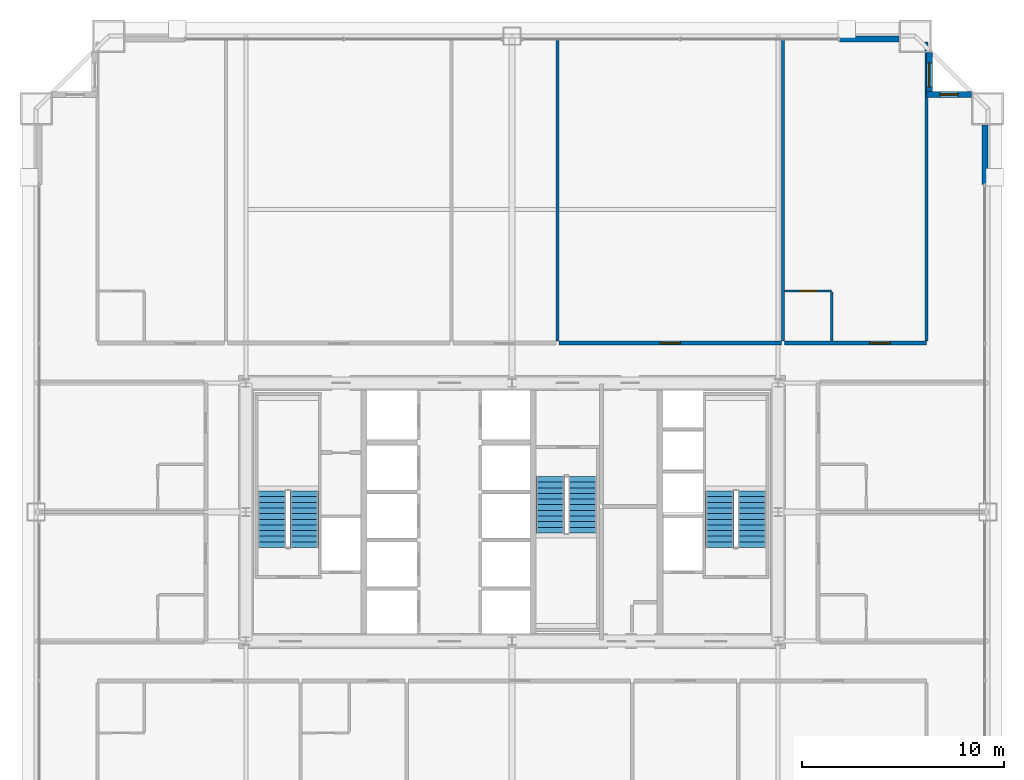
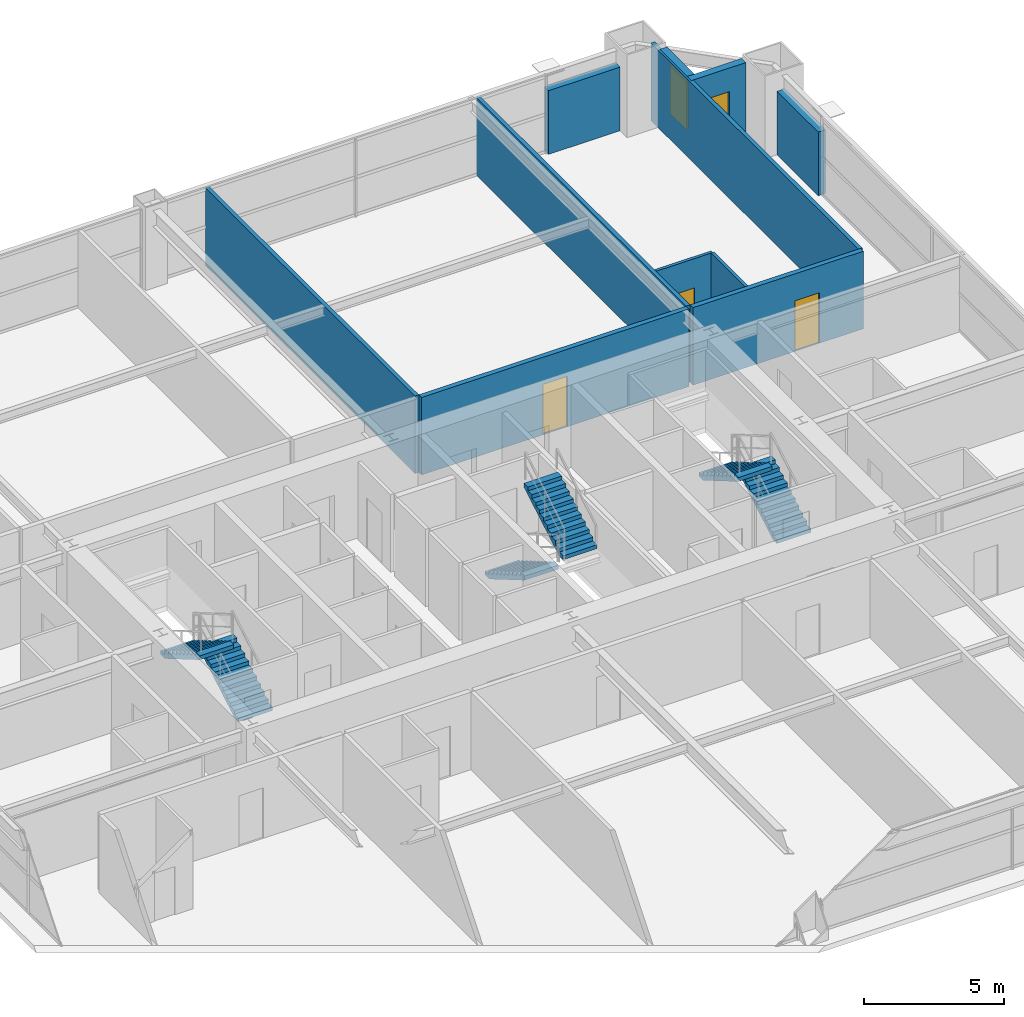
# One storey, part 38 of 39: 11 walls, 6 stair flights, 3 doors, 2 windows, 5 openings, 3 elements without a shape of their own.
"""IFC4 building model written with IfcOpenShell, lengths in metres."""

import ifcopenshell
import ifcopenshell.guid

model = None  # the IFC model being written
_history = None  # IfcOwnerHistory: only IFC2X3 demands one
_inside = {}  # id of a spatial element -> (the spatial element, [elements in it])
_under = {}  # id of a project, library or spatial element -> (it, [spatial elements below it])
_declared = {}  # id of a project -> (the project, [libraries it declares])
_typed = {}  # id of a type object -> (the type object, [elements of that type])
_made_of = {}  # id of a material, layer set ... -> (it, [elements and type objects made of it])


def new_model(schema):
    """Start an empty IFC model of exactly this schema.

    Asked for "IFC4X3", IfcOpenShell would pick the latest addendum, in which some entities
    have other attributes; the version numbers below select the first issue.
    IFC2X3 requires an IfcOwnerHistory on every rooted entity: one is made here for all.
    """
    global model, _history
    if schema == "IFC4X3":
        model = ifcopenshell.file(schema_version=(4, 3, 0, 0))
    else:
        model = ifcopenshell.file(schema=schema)
    _inside.clear()
    _under.clear()
    _declared.clear()
    _typed.clear()
    _made_of.clear()
    _history = None
    if model.schema == "IFC2X3":
        org = make("IfcOrganization", Name="unknown")
        user = make(
            "IfcPersonAndOrganization",
            ThePerson=make("IfcPerson", FamilyName="unknown"),
            TheOrganization=org,
        )
        app = make(
            "IfcApplication",
            ApplicationDeveloper=org,
            Version="unknown",
            ApplicationFullName="unknown",
            ApplicationIdentifier="unknown",
        )
        _history = make(
            "IfcOwnerHistory",
            OwningUser=user,
            OwningApplication=app,
            ChangeAction="ADDED",
            CreationDate=0,
        )
    return model


def make(cls, **values):
    """One entity of the class cls with the attributes given. An attribute that is None is left unset."""
    return model.create_entity(
        cls, **{name: value for name, value in values.items() if value is not None}
    )


def rooted(cls, **values):
    """An entity with a GlobalId (a new one), such as an element, a storey or a relation."""
    return make(cls, GlobalId=ifcopenshell.guid.new(), OwnerHistory=_history, **values)


def si_unit(unit_type, name, prefix=None):
    """IfcSIUnit, for example si_unit("LENGTHUNIT", "METRE", prefix="MILLI")."""
    return make("IfcSIUnit", UnitType=unit_type, Prefix=prefix, Name=name)


def assignment(units):
    """IfcUnitAssignment: the units of a project."""
    return None if units is None else make("IfcUnitAssignment", Units=units)


def point(xyz):
    """IfcCartesianPoint."""
    return None if xyz is None else make("IfcCartesianPoint", Coordinates=xyz)


def direction(xyz):
    """IfcDirection."""
    return None if xyz is None else make("IfcDirection", DirectionRatios=xyz)


def frame(location, z_axis=None, x_axis=None):
    """IfcAxis2Placement3D, a coordinate frame: its origin and axes. An axis left out is left unset."""
    return make(
        "IfcAxis2Placement3D",
        Location=point(location),
        Axis=direction(z_axis),
        RefDirection=direction(x_axis),
    )


def frame_2d(location, x_axis=None):
    """IfcAxis2Placement2D, a coordinate frame in the plane: its origin and x axis."""
    return make(
        "IfcAxis2Placement2D", Location=point(location), RefDirection=direction(x_axis)
    )


def origin():
    """The frame at (0, 0, 0) with its axes left unset."""
    return frame((0.0, 0.0, 0.0))


def place(relative_to, where):
    """IfcLocalPlacement: puts the frame where relative to a parent placement (None: the world)."""
    return make(
        "IfcLocalPlacement", PlacementRelTo=relative_to, RelativePlacement=where
    )


def context(
    kind, dimensions, precision=None, world=None, true_north=None, identifier=None
):
    """IfcGeometricRepresentationContext, for example the 3D "Model" context."""
    return make(
        "IfcGeometricRepresentationContext",
        ContextIdentifier=identifier,
        ContextType=kind,
        CoordinateSpaceDimension=dimensions,
        Precision=precision,
        WorldCoordinateSystem=world,
        TrueNorth=true_north,
    )


def subcontext(parent, identifier, kind, view, scale=None):
    """IfcGeometricRepresentationSubContext, for example "Body" below "Model"."""
    return make(
        "IfcGeometricRepresentationSubContext",
        ContextIdentifier=identifier,
        ContextType=kind,
        ParentContext=parent,
        TargetScale=scale,
        TargetView=view,
    )


def project(units=None, contexts=None):
    """IfcProject with its units and contexts."""
    return rooted(
        "IfcProject",
        Name="project",
        RepresentationContexts=contexts,
        UnitsInContext=assignment(units),
    )


def spatial(cls, under=None, at=None, **own):
    """A site, building, storey or space (cls), placed at a placement, below another one or the project."""
    s = rooted(cls, ObjectPlacement=at, **own)
    if under is not None:
        _under.setdefault(under.id(), (under, []))[1].append(s)
    return s


def polyline(points):
    """IfcPolyline through the points."""
    return make("IfcPolyline", Points=[point(p) for p in points])


def profile(cls, at=None, kind="AREA", **sizes):
    """A parametric profile (cls). Its sizes go by their IFC names, for example OverallWidth=200.0."""
    return make(cls, ProfileType=kind, Position=at, **sizes)


def rectangle(**sizes):
    """IfcRectangleProfileDef."""
    return profile("IfcRectangleProfileDef", **sizes)


def outline(outer, holes=None, kind="AREA"):
    """IfcArbitraryClosedProfileDef: a profile drawn as a closed curve; with holes, ...WithVoids."""
    if holes is None:
        return make("IfcArbitraryClosedProfileDef", ProfileType=kind, OuterCurve=outer)
    return make(
        "IfcArbitraryProfileDefWithVoids",
        ProfileType=kind,
        OuterCurve=outer,
        InnerCurves=holes,
    )


def extrude(swept, where, along, depth):
    """IfcExtrudedAreaSolid: the profile swept, set in the frame where, extruded along a direction by depth."""
    return make(
        "IfcExtrudedAreaSolid",
        SweptArea=swept,
        Position=where,
        ExtrudedDirection=direction(along),
        Depth=depth,
    )


def shape(context_of_items, identifier, shape_type, items):
    """IfcShapeRepresentation: the items that make up one representation, for example the "Body"."""
    return make(
        "IfcShapeRepresentation",
        ContextOfItems=context_of_items,
        RepresentationIdentifier=identifier,
        RepresentationType=shape_type,
        Items=items,
    )


def source(mapping_origin, context_of_items, identifier, shape_type, items):
    """IfcRepresentationMap: a shape defined once, which mapped items show again and again."""
    return make(
        "IfcRepresentationMap",
        MappingOrigin=mapping_origin,
        MappedRepresentation=shape(context_of_items, identifier, shape_type, items),
    )


def transform(
    local_origin,
    x_axis=None,
    y_axis=None,
    z_axis=None,
    scale=None,
    scale2=None,
    scale3=None,
    uniform=True,
):
    """IfcCartesianTransformationOperator3D, or its non-uniform kind. x_axis, y_axis, z_axis: its Axis1, 2, 3."""
    if uniform:
        return make(
            "IfcCartesianTransformationOperator3D",
            Axis1=direction(x_axis),
            Axis2=direction(y_axis),
            LocalOrigin=point(local_origin),
            Scale=scale,
            Axis3=direction(z_axis),
        )
    return make(
        "IfcCartesianTransformationOperator3DnonUniform",
        Axis1=direction(x_axis),
        Axis2=direction(y_axis),
        LocalOrigin=point(local_origin),
        Scale=scale,
        Axis3=direction(z_axis),
        Scale2=scale2,
        Scale3=scale3,
    )


def mapped(mapping_source, mapping_target):
    """IfcMappedItem: shows the shape of a source again, moved by a transform."""
    return make(
        "IfcMappedItem", MappingSource=mapping_source, MappingTarget=mapping_target
    )


def material(Name=None, Category=None):
    """IfcMaterial."""
    return make("IfcMaterial", Name=Name, Category=Category)


def layer(
    of_material, thickness, ventilated=None, Name=None, Category=None, Priority=None
):
    """IfcMaterialLayer: one layer of a wall or slab, of a material (None: an air gap)."""
    return make(
        "IfcMaterialLayer",
        Material=of_material,
        LayerThickness=thickness,
        IsVentilated=ventilated,
        Name=Name,
        Category=Category,
        Priority=Priority,
    )


def layer_set(layers, Name=None):
    """IfcMaterialLayerSet."""
    return make("IfcMaterialLayerSet", MaterialLayers=layers, LayerSetName=Name)


def made_of(thing, what):
    """Note that an element or type object is made of a material, layer set ...; save() writes the relation."""
    if what is not None:
        _made_of.setdefault(what.id(), (what, []))[1].append(thing)
    return thing


def type_object(cls, material=None, **own):
    """A type object (cls), such as IfcWallType, which elements share."""
    return made_of(rooted(cls, **own), material)


def element(
    cls,
    number,
    at=None,
    inside=None,
    cuts=None,
    type_object=None,
    material=None,
    context=None,
    identifier="Body",
    shape_type=None,
    held_by="IfcProductDefinitionShape",
    body=None,
    shapes=None,
    **own,
):
    """One element of the class cls, such as IfcWall. Its Tag is "e" and its number.

    at: its placement. inside: the storey or other place that contains it. cuts: it is an
    opening in that element (IfcRelVoidsElement). A single representation is given by context,
    identifier, shape_type and body (its items); several are given by shapes. held_by: the class
    of the entity that holds the representations. save() writes the other relations.
    """
    e = rooted(cls, Tag="e%d" % number, ObjectPlacement=at, **own)
    if body is not None:
        shapes = [shape(context, identifier, shape_type, body)]
    if shapes is not None:
        e.Representation = make(held_by, Representations=shapes)
    if inside is not None:
        _inside.setdefault(inside.id(), (inside, []))[1].append(e)
    if cuts is not None:
        rooted(
            "IfcRelVoidsElement", RelatingBuildingElement=cuts, RelatedOpeningElement=e
        )
    if type_object is not None:
        _typed.setdefault(type_object.id(), (type_object, []))[1].append(e)
    return made_of(e, material)


def fill(opening, filler):
    """IfcRelFillsElement: the door or window that sits in an opening."""
    return rooted(
        "IfcRelFillsElement",
        RelatingOpeningElement=opening,
        RelatedBuildingElement=filler,
    )


def aggregate(whole, parts):
    """IfcRelAggregates: a whole, such as a stair, and the parts it consists of."""
    return rooted("IfcRelAggregates", RelatingObject=whole, RelatedObjects=parts)


def save(model, path):
    """Write the relations noted so far, then the file.

    IfcRelAggregates (storeys below a building ...), IfcRelContainedInSpatialStructure (elements
    in a storey), IfcRelDefinesByType, IfcRelAssociatesMaterial and IfcRelDeclares: one each for
    every whole, place, type object, material and project.
    """
    for whole, parts in _under.values():
        aggregate(whole, parts)
    for where, things in _inside.values():
        rooted(
            "IfcRelContainedInSpatialStructure",
            RelatedElements=things,
            RelatingStructure=where,
        )
    for kind, things in _typed.values():
        rooted("IfcRelDefinesByType", RelatedObjects=things, RelatingType=kind)
    for what, things in _made_of.values():
        rooted("IfcRelAssociatesMaterial", RelatedObjects=things, RelatingMaterial=what)
    for by, libraries in _declared.values():
        rooted("IfcRelDeclares", RelatingContext=by, RelatedDefinitions=libraries)
    model.write(path)


model = new_model("IFC4")

# Units and contexts
model_context = context("Model", 3, precision=1e-05, world=origin(), true_north=direction((0.0, 1.0)))
body_context = subcontext(model_context, "Body", "Model", "MODEL_VIEW")
ifc_project = project(units=[si_unit("LENGTHUNIT", "METRE"), si_unit("AREAUNIT", "SQUARE_METRE"), si_unit("VOLUMEUNIT", "CUBIC_METRE"), si_unit("PLANEANGLEUNIT", "RADIAN"), si_unit("MASSUNIT", "GRAM", prefix="KILO"), si_unit("THERMODYNAMICTEMPERATUREUNIT", "KELVIN"), si_unit("POWERUNIT", "WATT")], contexts=[model_context])

# Site, building, storey
site_placement = place(None, origin())
site = spatial("IfcSite", under=ifc_project, at=site_placement, CompositionType="ELEMENT")
building_placement = place(site_placement, origin())
building = spatial("IfcBuilding", under=site, at=building_placement, Name="Yuzanri Waterfront Tower", CompositionType="ELEMENT")
storey_placement = place(building_placement, frame((0.0, 0.0, 141.60009765625)))
storey = spatial("IfcBuildingStorey", under=building, at=storey_placement, Name="L37", CompositionType="ELEMENT", Elevation=141.60009765625)

# Wall, opening, door
ifc_material_1 = material(Name="Moisture-Resistant Gypsum Stud Wall", Category="gypsum")
ifc_layer_1 = layer(ifc_material_1, 0.1201171875)
ifc_layer_set_1 = layer_set([ifc_layer_1], Name="Moisture-Resistant Gypsum Stud Wall")
wall_type_1 = type_object("IfcWallType", Name="Bathroom and Kitchen Wet Partition 120", PredefinedType="PARTITIONING", material=ifc_layer_set_1)
wall_1_placement = place(storey_placement, frame((50.52587890625, 36.760009765625, 0.0), z_axis=(0.0, 0.0, 1.0), x_axis=(1.0, 0.0, 0.0)))
wall_1 = element("IfcWall", 1, at=wall_1_placement, inside=storey, type_object=wall_type_1, Name="L37 Partition UW-L37-N5-BN", PredefinedType="PARTITIONING", context=body_context, shape_type="SweptSolid", body=[
    extrude(rectangle(XDim=2.330078125, YDim=0.1201171875, at=frame_2d((1.1650390625, 0.0))), origin(), (0.0, 0.0, 1.0), 3.3798828125),
])
opening_1_placement = place(wall_1_placement, frame((0.739990234375, 0.0, 0.0)))
opening_1 = element("IfcOpeningElement", 2, at=opening_1_placement, cuts=wall_1, Name="Opening ID-0850", PredefinedType="OPENING", context=body_context, shape_type="SweptSolid", body=[
    extrude(rectangle(XDim=0.85009765625, YDim=2.10009765625, at=frame_2d((0.425048828125, 1.050048828125))), frame((0.0, 0.074951171875, 0.0), z_axis=(0.0, -1.0, 0.0), x_axis=(1.0, 0.0, 0.0)), (0.0, 0.0, 1.0), 0.14990234375),
])
ifc_material_2 = material(Name="Moisture-Resistant Lacquered Timber", Category="wood")
door_type_1 = type_object("IfcDoorType", Name="En-Suite Bathroom and Kitchen Swing Door 850x2100", OperationType="NOTDEFINED", PredefinedType="DOOR", material=ifc_material_2)
shared_shape_1 = source(origin(), body_context, "Body", "SweptSolid", [
    extrude(rectangle(XDim=0.85009765625, YDim=2.10009765625, at=frame_2d((0.425048828125, 1.050048828125))), frame((0.0, 0.02490234375, 0.0), z_axis=(0.0, -1.0, 0.0), x_axis=(1.0, 0.0, 0.0)), (0.0, 0.0, 1.0), 0.050048828125),
])
door_1_placement = place(opening_1_placement, origin())
door_1 = element("IfcDoor", 3, at=door_1_placement, inside=storey, type_object=door_type_1, Name="L37 Guest En-Suite Door", OperationType="SINGLE_SWING_RIGHT", OverallHeight=2.10009765625, OverallWidth=0.85009765625, PredefinedType="DOOR", context=body_context, shape_type="MappedRepresentation", body=[
    mapped(shared_shape_1, transform((0.0, 0.0, 0.0), scale=1.0)),
])
fill(opening_1, door_1)

# Wall, opening, window
ifc_material_3 = material(Name="Honed Chongqing Dark Basalt Stone", Category="masonry")
ifc_layer_2 = layer(ifc_material_3, 0.300048828125)
ifc_layer_set_2 = layer_set([ifc_layer_2], Name="Honed Chongqing Dark Basalt Stone")
wall_type_2 = type_object("IfcWallType", Name="Bronze Rainscreen Insulated Spandrel Portal Wall 300", PredefinedType="SOLIDWALL", material=ifc_layer_set_2)
wall_2_placement = place(storey_placement, frame((59.800048828125, 46.5, 0.0), z_axis=(0.0, 0.0, 1.0), x_axis=(-1.0, 0.0, 0.0)))
wall_2 = element("IfcWall", 4, at=wall_2_placement, inside=storey, type_object=wall_type_2, Name="L37 Notched Corner Masonry Wall NE-X", PredefinedType="SOLIDWALL", context=body_context, shape_type="SweptSolid", body=[
    extrude(rectangle(XDim=2.25, YDim=0.300048828125, at=frame_2d((1.125, 0.0))), origin(), (0.0, 0.0, 1.0), 3.3798828125),
])
opening_2_placement = place(wall_2_placement, frame((0.675048828125, 0.0, 0.85009765625)))
opening_2 = element("IfcOpeningElement", 5, at=opening_2_placement, cuts=wall_2, Name="Opening WN-05", PredefinedType="OPENING", context=body_context, shape_type="SweptSolid", body=[
    extrude(rectangle(XDim=0.89990234375, YDim=1.5, at=frame_2d((0.449951171875, 0.75))), frame((0.0, 0.1650390625, 0.0), z_axis=(0.0, -1.0, 0.0), x_axis=(1.0, 0.0, 0.0)), (0.0, 0.0, 1.0), 0.329833984375),
])
ifc_material_4 = material(Name="Double-Silver Low-E Insulated Glass", Category="glass")
window_type_1 = type_object("IfcWindowType", Name="Anodized Bronze Service and Stairwell Smoke-Vent Window 900x1500", PartitioningType="SINGLE_PANEL", PredefinedType="WINDOW", material=ifc_material_4)
shared_shape_2 = source(origin(), body_context, "Body", "SweptSolid", [
    extrude(rectangle(XDim=0.89990234375, YDim=1.5, at=frame_2d((0.449951171875, 0.75))), frame((0.0, 0.030029296875, 0.0), z_axis=(0.0, -1.0, 0.0), x_axis=(1.0, 0.0, 0.0)), (0.0, 0.0, 1.0), 0.06005859375),
])
window_1_placement = place(opening_2_placement, origin())
window_1 = element("IfcWindow", 6, at=window_1_placement, inside=storey, type_object=window_type_1, Name="L37 Notched Corner Window NE-X", OverallHeight=1.5, OverallWidth=0.89990234375, PartitioningType="SINGLE_PANEL", PredefinedType="WINDOW", context=body_context, shape_type="MappedRepresentation", body=[
    mapped(shared_shape_2, transform((0.0, 0.0, 0.0), scale=1.0)),
])
fill(opening_2, window_1)

wall_3_placement = place(storey_placement, frame((57.699951171875, 46.35009765625, 0.0), z_axis=(0.0, 0.0, 1.0), x_axis=(0.0, 1.0, 0.0)))
wall_3 = element("IfcWall", 7, at=wall_3_placement, inside=storey, type_object=wall_type_2, Name="L37 Notched Corner Masonry Wall NE-Y", PredefinedType="SOLIDWALL", context=body_context, shape_type="SweptSolid", body=[
    extrude(rectangle(XDim=2.25, YDim=0.300048828125, at=frame_2d((1.125, 0.0))), origin(), (0.0, 0.0, 1.0), 3.3798828125),
])
opening_3_placement = place(wall_3_placement, frame((0.52490234375, 0.0, 0.85009765625)))
opening_3 = element("IfcOpeningElement", 8, at=opening_3_placement, cuts=wall_3, Name="Opening WN-02", PredefinedType="OPENING", context=body_context, shape_type="SweptSolid", body=[
    extrude(rectangle(XDim=1.199951171875, YDim=2.10009765625, at=frame_2d((0.60009765625, 1.050048828125))), frame((0.0, 0.1650390625, 0.0), z_axis=(0.0, -1.0, 0.0), x_axis=(1.0, 0.0, 0.0)), (0.0, 0.0, 1.0), 0.329833984375),
])
ifc_material_5 = material(Name="Double-Silver Low-E Insulated Glass", Category="glass")
window_type_2 = type_object("IfcWindowType", Name="Anodized Bronze Notched Corner Deep-Set Slot Window 1200x2100", PartitioningType="SINGLE_PANEL", PredefinedType="WINDOW", material=ifc_material_5)
shared_shape_3 = source(origin(), body_context, "Body", "SweptSolid", [
    extrude(rectangle(XDim=1.199951171875, YDim=2.10009765625, at=frame_2d((0.60009765625, 1.050048828125))), frame((0.0, 0.030029296875, 0.0), z_axis=(0.0, -1.0, 0.0), x_axis=(1.0, 0.0, 0.0)), (0.0, 0.0, 1.0), 0.06005859375),
])
window_2_placement = place(opening_3_placement, origin())
window_2 = element("IfcWindow", 9, at=window_2_placement, inside=storey, type_object=window_type_2, Name="L37 Notched Corner Window NE-Y", OverallHeight=2.10009765625, OverallWidth=1.199951171875, PartitioningType="SINGLE_PANEL", PredefinedType="WINDOW", context=body_context, shape_type="MappedRepresentation", body=[
    mapped(shared_shape_3, transform((0.0, 0.0, 0.0), scale=1.0)),
])
fill(opening_3, window_2)

# Wall, opening, door
ifc_material_6 = material(Name="Autoclaved Aerated Concrete Blockwork", Category="masonry")
ifc_layer_3 = layer(ifc_material_6, 0.199951171875)
ifc_layer_set_3 = layer_set([ifc_layer_3], Name="Autoclaved Aerated Concrete Blockwork")
wall_type_3 = type_object("IfcWallType", Name="Corridor and Unit Party Fire Wall 200", PredefinedType="PARTITIONING", material=ifc_layer_set_3)
wall_4_placement = place(storey_placement, frame((39.342041015625, 34.179931640625, 0.0), z_axis=(0.0, 0.0, 1.0), x_axis=(1.0, 0.0, 0.0)))
wall_4 = element("IfcWall", 10, at=wall_4_placement, inside=storey, type_object=wall_type_3, Name="L37 Partition UW-L37-N4-CS", PredefinedType="PARTITIONING", context=body_context, shape_type="SweptSolid", body=[
    extrude(rectangle(XDim=11.02392578125, YDim=0.199951171875, at=frame_2d((5.511962890625, 0.0))), origin(), (0.0, 0.0, 1.0), 3.3798828125),
])
opening_4_placement = place(wall_4_placement, frame((5.011962890625, 0.0, 0.0)))
opening_4 = element("IfcOpeningElement", 11, at=opening_4_placement, cuts=wall_4, Name="Opening FD-1000", PredefinedType="OPENING", context=body_context, shape_type="SweptSolid", body=[
    extrude(rectangle(XDim=1.0, YDim=2.199951171875, at=frame_2d((0.5, 1.10009765625))), frame((0.0, 0.11474609375, 0.0), z_axis=(0.0, -1.0, 0.0), x_axis=(1.0, 0.0, 0.0)), (0.0, 0.0, 1.0), 0.229736328125),
])
ifc_material_7 = material(Name="Engineered Oak Fire-Rated Timber", Category="wood")
door_type_2 = type_object("IfcDoorType", Name="Guestroom and Apartment Entrance Fire Door 1000x2200", OperationType="NOTDEFINED", PredefinedType="DOOR", material=ifc_material_7)
shared_shape_4 = source(origin(), body_context, "Body", "SweptSolid", [
    extrude(rectangle(XDim=1.0, YDim=2.199951171875, at=frame_2d((0.5, 1.10009765625))), frame((0.0, 0.02490234375, 0.0), z_axis=(0.0, -1.0, 0.0), x_axis=(1.0, 0.0, 0.0)), (0.0, 0.0, 1.0), 0.050048828125),
])
door_2_placement = place(opening_4_placement, origin())
door_2 = element("IfcDoor", 12, at=door_2_placement, inside=storey, type_object=door_type_2, Name="L37 Meeting Room 3 Entrance Door", OperationType="SINGLE_SWING_RIGHT", OverallHeight=2.199951171875, OverallWidth=1.0, PredefinedType="DOOR", context=body_context, shape_type="MappedRepresentation", body=[
    mapped(shared_shape_4, transform((0.0, 0.0, 0.0), scale=1.0)),
])
fill(opening_4, door_2)

wall_5_placement = place(storey_placement, frame((50.52587890625, 34.179931640625, 0.0), z_axis=(0.0, 0.0, 1.0), x_axis=(1.0, 0.0, 0.0)))
wall_5 = element("IfcWall", 13, at=wall_5_placement, inside=storey, type_object=wall_type_3, Name="L37 Partition UW-L37-N5-CS", PredefinedType="PARTITIONING", context=body_context, shape_type="SweptSolid", body=[
    extrude(rectangle(XDim=7.0341796875, YDim=0.199951171875, at=frame_2d((3.51708984375, 0.0))), origin(), (0.0, 0.0, 1.0), 3.3798828125),
])
opening_5_placement = place(wall_5_placement, frame((4.221923828125, 0.0, 0.0)))
opening_5 = element("IfcOpeningElement", 14, at=opening_5_placement, cuts=wall_5, Name="Opening FD-1000", PredefinedType="OPENING", context=body_context, shape_type="SweptSolid", body=[
    extrude(rectangle(XDim=1.0, YDim=2.199951171875, at=frame_2d((0.5, 1.10009765625))), frame((0.0, 0.11474609375, 0.0), z_axis=(0.0, -1.0, 0.0), x_axis=(1.0, 0.0, 0.0)), (0.0, 0.0, 1.0), 0.229736328125),
])
door_3_placement = place(opening_5_placement, origin())
door_3 = element("IfcDoor", 15, at=door_3_placement, inside=storey, type_object=door_type_2, Name="L37 Cityview Suite Entrance Door", OperationType="SINGLE_SWING_LEFT", OverallHeight=2.199951171875, OverallWidth=1.0, PredefinedType="DOOR", context=body_context, shape_type="MappedRepresentation", body=[
    mapped(shared_shape_4, transform((0.0, 0.0, 0.0), scale=1.0)),
])
fill(opening_5, door_3)

# Walls
shared_shape_5 = source(origin(), body_context, "Body", "SweptSolid", [
    extrude(rectangle(XDim=2.949951171875, YDim=0.300048828125, at=frame_2d((1.47509765625, 0.0))), origin(), (0.0, 0.0, 1.0), 2.77490234375),
])
for number, where, z_axis, x_axis, name in (
    (16, (53.25, 49.25, 0.0), (0.0, 0.0, 1.0), (1.0, 0.0, 0.0), "L37 N Right Braced Masonry Shoulder"),
    (17, (60.449951171875, 42.050048828125, 0.0), (0.0, 0.0, 1.0), (0.0, 1.0, 0.0), "L37 E Right Braced Masonry Shoulder"),
):
    element("IfcWall", number, at=place(storey_placement, frame(where, z_axis=z_axis, x_axis=x_axis)), inside=storey, type_object=wall_type_2, Name=name, PredefinedType="SOLIDWALL", context=body_context, shape_type="MappedRepresentation", body=[
        mapped(shared_shape_5, transform((0.0, 0.0, 0.0), scale=1.0)),
    ])
shared_shape_6 = source(origin(), body_context, "Body", "SweptSolid", [
    extrude(rectangle(XDim=2.419921875, YDim=0.1201171875, at=frame_2d((1.2099609375, 0.0))), origin(), (0.0, 0.0, 1.0), 3.3798828125),
])
wall_6_placement = place(storey_placement, frame((52.85595703125, 34.280029296875, 0.0), z_axis=(0.0, 0.0, 1.0), x_axis=(0.0, 1.0, 0.0)))
element("IfcWall", 18, at=wall_6_placement, inside=storey, type_object=wall_type_1, Name="L37-N5 En-Suite Side Wall", PredefinedType="PARTITIONING", context=body_context, shape_type="MappedRepresentation", body=[
    mapped(shared_shape_6, transform((0.0, 0.0, 0.0), scale=1.0)),
])
ifc_material_8 = material(Name="Gypsum Fireboard Acoustic Stud Wall", Category="gypsum")
ifc_layer_4 = layer(ifc_material_8, 0.159912109375)
ifc_layer_set_4 = layer_set([ifc_layer_4], Name="Gypsum Fireboard Acoustic Stud Wall")
wall_type_4 = type_object("IfcWallType", Name="Acoustic Suite Demising Partition 160", PredefinedType="PARTITIONING", material=ifc_layer_set_4)
shared_shape_7 = source(origin(), body_context, "Body", "SweptSolid", [
    extrude(rectangle(XDim=14.969970703125, YDim=0.159912109375, at=frame_2d((7.48486328125, 0.0))), origin(), (0.0, 0.0, 1.0), 3.3798828125),
])
for number, where, z_axis, x_axis, name in (
    (19, (39.261962890625, 34.280029296875, 0.0), (0.0, 0.0, 1.0), (0.0, 1.0, 0.0), "L37-N3 Party Wall"),
    (20, (50.446044921875, 34.280029296875, 0.0), (0.0, 0.0, 1.0), (0.0, 1.0, 0.0), "L37-N4 Party Wall"),
):
    element("IfcWall", number, at=place(storey_placement, frame(where, z_axis=z_axis, x_axis=x_axis)), inside=storey, type_object=wall_type_4, Name=name, PredefinedType="PARTITIONING", context=body_context, shape_type="MappedRepresentation", body=[
        mapped(shared_shape_7, transform((0.0, 0.0, 0.0), scale=1.0)),
    ])
shared_shape_8 = source(origin(), body_context, "Body", "SweptSolid", [
    extrude(rectangle(XDim=14.820068359375, YDim=0.159912109375, at=frame_2d((7.41015625, 0.0))), origin(), (0.0, 0.0, 1.0), 3.3798828125),
])
wall_7_placement = place(storey_placement, frame((57.550048828125, 34.280029296875, 0.0), z_axis=(0.0, 0.0, 1.0), x_axis=(0.0, 1.0, 0.0)))
element("IfcWall", 21, at=wall_7_placement, inside=storey, type_object=wall_type_4, Name="L37 North Band East End Wall", PredefinedType="PARTITIONING", context=body_context, shape_type="MappedRepresentation", body=[
    mapped(shared_shape_8, transform((0.0, 0.0, 0.0), scale=1.0)),
])

# Stair, stair flights
ifc_material_9 = material(Name="Concrete C40", Category="concrete")
stair_type = type_object("IfcStairType", Name="Concrete C40 Core Dogleg Exit Stair", PredefinedType="HALF_TURN_STAIR", material=ifc_material_9)
stair_1_placement = place(storey_placement, origin())
stair_1 = element("IfcStair", 22, at=stair_1_placement, inside=storey, type_object=stair_type, Name="L37 Smoke-Proof Core Stair ST-01", PredefinedType="HALF_TURN_STAIR")
ifc_material_10 = material(Name="Concrete C40", Category="concrete")
stair_flight_type = type_object("IfcStairFlightType", Name="Concrete C40 Precast Stair Flight 1380", PredefinedType="STRAIGHT", material=ifc_material_10)
shared_shape_9 = source(origin(), body_context, "Body", "SweptSolid", [
    extrude(outline(polyline([(0.0, 0.0), (0.0, 0.16357421875), (0.280029296875, 0.16357421875), (0.280029296875, 0.327392578125), (0.56005859375, 0.327392578125), (0.56005859375, 0.490966796875), (0.840087890625, 0.490966796875), (0.840087890625, 0.654541015625), (1.1201171875, 0.654541015625), (1.1201171875, 0.818115234375), (1.39990234375, 0.818115234375), (1.39990234375, 0.98193359375), (1.679931640625, 0.98193359375), (1.679931640625, 1.1455078125), (1.9599609375, 1.1455078125), (1.9599609375, 1.30908203125), (2.239990234375, 1.30908203125), (2.239990234375, 1.47265625), (2.52001953125, 1.47265625), (2.52001953125, 1.636474609375), (2.800048828125, 1.636474609375), (2.800048828125, 1.800048828125), (2.800048828125, 1.462646484375), (0.297119140625, 0.0), (0.0, 0.0)])), frame((0.0, 0.699951171875, 0.0), z_axis=(0.0, -1.0, 0.0), x_axis=(1.0, 0.0, 0.0)), (0.0, 0.0, 1.0), 1.39990234375),
])
stair_flight_1_placement = place(storey_placement, frame((26.699951171875, 24.0400390625, 0.0), z_axis=(0.0, 0.0, 1.0), x_axis=(0.0, 1.0, 0.0)))
stair_flight_1 = element("IfcStairFlight", 23, at=stair_flight_1_placement, type_object=stair_flight_type, Name="ST-01 flight 1", NumberOfRisers=11, NumberOfTreads=10, PredefinedType="STRAIGHT", RiserHeight=0.163636364, TreadLength=0.28, context=body_context, shape_type="MappedRepresentation", body=[
    mapped(shared_shape_9, transform((0.0, 0.0, 0.0), scale=1.0)),
])
stair_flight_2_placement = place(storey_placement, frame((25.10009765625, 26.840087890625, 1.7998046875), z_axis=(0.0, 0.0, 1.0), x_axis=(0.0, -1.0, 0.0)))
stair_flight_2 = element("IfcStairFlight", 24, at=stair_flight_2_placement, type_object=stair_flight_type, Name="ST-01 flight 2", NumberOfRisers=11, NumberOfTreads=10, PredefinedType="STRAIGHT", RiserHeight=0.163636364, TreadLength=0.28, context=body_context, shape_type="MappedRepresentation", body=[
    mapped(shared_shape_9, transform((0.0, 0.0, 0.0), scale=1.0)),
])
aggregate(stair_1, [stair_flight_1, stair_flight_2])

stair_2_placement = place(storey_placement, origin())
stair_2 = element("IfcStair", 25, at=stair_2_placement, inside=storey, type_object=stair_type, Name="L37 Smoke-Proof Core Stair ST-02", PredefinedType="HALF_TURN_STAIR")
stair_flight_3_placement = place(storey_placement, frame((48.89990234375, 24.0400390625, 0.0), z_axis=(0.0, 0.0, 1.0), x_axis=(0.0, 1.0, 0.0)))
stair_flight_3 = element("IfcStairFlight", 26, at=stair_flight_3_placement, type_object=stair_flight_type, Name="ST-02 flight 1", NumberOfRisers=11, NumberOfTreads=10, PredefinedType="STRAIGHT", RiserHeight=0.163636364, TreadLength=0.28, context=body_context, shape_type="MappedRepresentation", body=[
    mapped(shared_shape_9, transform((0.0, 0.0, 0.0), scale=1.0)),
])
stair_flight_4_placement = place(storey_placement, frame((47.300048828125, 26.840087890625, 1.7998046875), z_axis=(0.0, 0.0, 1.0), x_axis=(0.0, -1.0, 0.0)))
stair_flight_4 = element("IfcStairFlight", 27, at=stair_flight_4_placement, type_object=stair_flight_type, Name="ST-02 flight 2", NumberOfRisers=11, NumberOfTreads=10, PredefinedType="STRAIGHT", RiserHeight=0.163636364, TreadLength=0.28, context=body_context, shape_type="MappedRepresentation", body=[
    mapped(shared_shape_9, transform((0.0, 0.0, 0.0), scale=1.0)),
])
aggregate(stair_2, [stair_flight_3, stair_flight_4])

stair_3_placement = place(storey_placement, origin())
stair_3 = element("IfcStair", 28, at=stair_3_placement, inside=storey, type_object=stair_type, Name="L37 Smoke-Proof Core Stair ST-03", PredefinedType="HALF_TURN_STAIR")
stair_flight_5_placement = place(storey_placement, frame((38.89990234375, 27.56005859375, 0.0), z_axis=(0.0, 0.0, 1.0), x_axis=(0.0, -1.0, 0.0)))
stair_flight_5 = element("IfcStairFlight", 29, at=stair_flight_5_placement, type_object=stair_flight_type, Name="ST-03 flight 1", NumberOfRisers=11, NumberOfTreads=10, PredefinedType="STRAIGHT", RiserHeight=0.163636364, TreadLength=0.28, context=body_context, shape_type="MappedRepresentation", body=[
    mapped(shared_shape_9, transform((0.0, 0.0, 0.0), scale=1.0)),
])
stair_flight_6_placement = place(storey_placement, frame((40.5, 24.760009765625, 1.7998046875), z_axis=(0.0, 0.0, 1.0), x_axis=(0.0, 1.0, 0.0)))
stair_flight_6 = element("IfcStairFlight", 30, at=stair_flight_6_placement, type_object=stair_flight_type, Name="ST-03 flight 2", NumberOfRisers=11, NumberOfTreads=10, PredefinedType="STRAIGHT", RiserHeight=0.163636364, TreadLength=0.28, context=body_context, shape_type="MappedRepresentation", body=[
    mapped(shared_shape_9, transform((0.0, 0.0, 0.0), scale=1.0)),
])
aggregate(stair_3, [stair_flight_5, stair_flight_6])

save(model, "model.ifc")
